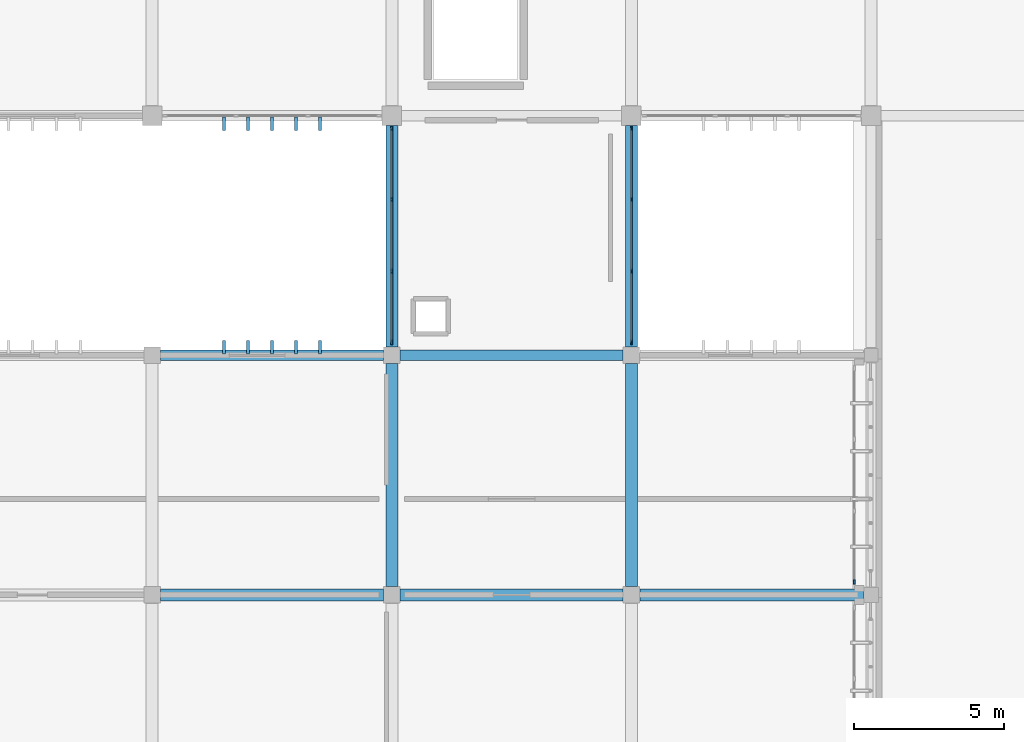
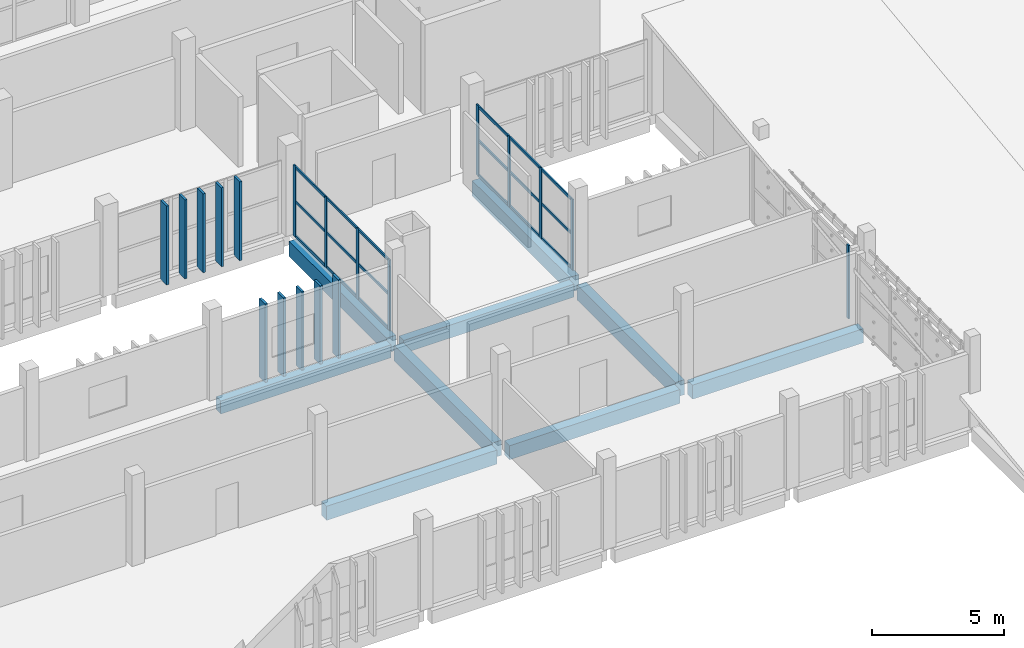
# One storey, part 39 of 83: 37 members, 9 beams, 3 elements without a shape of their own.
"""IFC4 building model written with IfcOpenShell, lengths in metres."""

from ifc_helpers import new_model, si_unit, direction, frame, origin, origin_2d, place, context, subcontext, project, spatial, rectangle, extrude, material, layer, layer_set, material_profile, profile_set, type_object, element, aggregate, save


model = new_model("IFC4")

# Units and contexts
model_context = context("Model", 3, precision=1e-05, world=origin(), true_north=direction((0.0, 1.0)))
body_context = subcontext(model_context, "Body", "Model", "MODEL_VIEW")
ifc_project = project(units=[si_unit("LENGTHUNIT", "METRE"), si_unit("AREAUNIT", "SQUARE_METRE"), si_unit("VOLUMEUNIT", "CUBIC_METRE"), si_unit("PLANEANGLEUNIT", "RADIAN"), si_unit("MASSUNIT", "GRAM", prefix="KILO")], contexts=[model_context])

# Site, building, storey
site_placement = place(None, origin())
site = spatial("IfcSite", under=ifc_project, at=site_placement, CompositionType="ELEMENT")
building_placement = place(site_placement, origin())
building = spatial("IfcBuilding", under=site, at=building_placement, Name="Jelvoka-Kovrelna Polytechnic", CompositionType="ELEMENT")
storey_placement = place(building_placement, frame((0.0, 0.0, 13.800048828125)))
storey = spatial("IfcBuildingStorey", under=building, at=storey_placement, Name="L04", CompositionType="ELEMENT", Elevation=13.800048828125)

# Beams
ifc_material_1 = material(Name="Concrete C40/50", Category="concrete")
ifc_material_profile_1 = material_profile(ifc_material_1, rectangle(XDim=0.39990234375, YDim=0.64990234375, at=origin_2d()), Name="RC 400x650")
ifc_profile_set_1 = profile_set([ifc_material_profile_1], Name="Concrete C40/50")
beam_type_1 = type_object("IfcBeamType", Name="Beam_RC_400x650", PredefinedType="BEAM", material=ifc_profile_set_1)
for number, where, z_axis, x_axis, name in (
    (1, (136.280029296875, 16.0, -0.574951171875), (1.0, 0.0, 0.0), (0.0, 1.0, 0.0), "L04 beam 1157"),
    (2, (144.280029296875, 16.0, -0.574951171875), (1.0, 0.0, 0.0), (0.0, 1.0, 0.0), "L04 beam 1158"),
):
    element("IfcBeam", number, at=place(storey_placement, frame(where, z_axis=z_axis, x_axis=x_axis)), inside=storey, type_object=beam_type_1, Name=name, PredefinedType="BEAM", context=body_context, shape_type="SweptSolid", body=[
        extrude(rectangle(XDim=0.39990234375, YDim=0.64990234375, at=origin_2d()), origin(), (0.0, 0.0, 1.0), 7.43994140625),
    ])
beam_placement = place(storey_placement, frame((152.280029296875, 16.0, -0.574951171875), z_axis=(1.0, 0.0, 0.0), x_axis=(0.0, 1.0, 0.0)))
element("IfcBeam", 3, at=beam_placement, inside=storey, type_object=beam_type_1, Name="L04 beam 1159", PredefinedType="BEAM", context=body_context, shape_type="SweptSolid", body=[
    extrude(rectangle(XDim=0.39990234375, YDim=0.64990234375, at=origin_2d()), origin(), (0.0, 0.0, 1.0), 7.465087890625),
])
ifc_material_2 = material(Name="Concrete C40/50", Category="concrete")
ifc_material_profile_2 = material_profile(ifc_material_2, rectangle(XDim=0.39990234375, YDim=0.699951171875, at=origin_2d()), Name="RC 400x700")
ifc_profile_set_2 = profile_set([ifc_material_profile_2], Name="Concrete C40/50")
beam_type_2 = type_object("IfcBeamType", Name="Beam_RC_400x700", PredefinedType="BEAM", material=ifc_profile_set_2)
for number, where, z_axis, x_axis, name in (
    (4, (144.0, 16.280029296875, -0.60009765625), (0.0, 1.0, 0.0), (-1.0, 0.0, 0.0), "L04 beam 1173"),
    (5, (152.0, 16.280029296875, -0.60009765625), (0.0, 1.0, 0.0), (-1.0, 0.0, 0.0), "L04 beam 1175"),
):
    element("IfcBeam", number, at=place(storey_placement, frame(where, z_axis=z_axis, x_axis=x_axis)), inside=storey, type_object=beam_type_2, Name=name, PredefinedType="BEAM", context=body_context, shape_type="SweptSolid", body=[
        extrude(rectangle(XDim=0.39990234375, YDim=0.699951171875, at=origin_2d()), origin(), (0.0, 0.0, 1.0), 7.43994140625),
    ])
for number, where, z_axis, x_axis, name in (
    (6, (144.0, 24.280029296875, -0.60009765625), (0.0, 1.0, 0.0), (-1.0, 0.0, 0.0), "L04 beam 1361"),
    (7, (152.0, 24.280029296875, -0.60009765625), (0.0, 1.0, 0.0), (-1.0, 0.0, 0.0), "L04 beam 1362"),
):
    element("IfcBeam", number, at=place(storey_placement, frame(where, z_axis=z_axis, x_axis=x_axis)), inside=storey, type_object=beam_type_2, Name=name, PredefinedType="BEAM", context=body_context, shape_type="SweptSolid", body=[
        extrude(rectangle(XDim=0.39990234375, YDim=0.699951171875, at=origin_2d()), origin(), (0.0, 0.0, 1.0), 7.389892578125),
    ])

# Members
ifc_material_3 = material(Name="Precast concrete C40/50", Category="concrete")
ifc_material_profile_3 = material_profile(ifc_material_3, rectangle(XDim=0.10009765625, YDim=0.449951171875, at=origin_2d()), Name="PC 100x450")
ifc_profile_set_3 = profile_set([ifc_material_profile_3], Name="Precast concrete C40/50")
member_type_1 = type_object("IfcMemberType", Name="Louvre_Fin_100x450", PredefinedType="USERDEFINED", material=ifc_profile_set_3)
for number, where, z_axis, x_axis, name in (
    (8, (138.39990234375, 24.264892578125, -0.27001953125), (0.0, 0.0, 1.0), (1.0, 0.0, 0.0), "L04 B1 north vertical solar louvre fin 0436"),
    (9, (139.199951171875, 24.264892578125, -0.27001953125), (0.0, 0.0, 1.0), (1.0, 0.0, 0.0), "L04 B1 north vertical solar louvre fin 0437"),
    (10, (140.0, 24.264892578125, -0.27001953125), (0.0, 0.0, 1.0), (1.0, 0.0, 0.0), "L04 B1 north vertical solar louvre fin 0438"),
    (11, (140.800048828125, 24.264892578125, -0.27001953125), (0.0, 0.0, 1.0), (1.0, 0.0, 0.0), "L04 B1 north vertical solar louvre fin 0439"),
    (12, (141.60009765625, 24.264892578125, -0.27001953125), (0.0, 0.0, 1.0), (1.0, 0.0, 0.0), "L04 B1 north vertical solar louvre fin 0440"),
    (13, (138.39990234375, 31.735107421875, -0.27001953125), (0.0, 0.0, 1.0), (1.0, 0.0, 0.0), "L04 B2E south vertical solar louvre fin 0981"),
    (14, (139.199951171875, 31.735107421875, -0.27001953125), (0.0, 0.0, 1.0), (1.0, 0.0, 0.0), "L04 B2E south vertical solar louvre fin 0982"),
    (15, (140.0, 31.735107421875, -0.27001953125), (0.0, 0.0, 1.0), (1.0, 0.0, 0.0), "L04 B2E south vertical solar louvre fin 0983"),
    (16, (140.800048828125, 31.735107421875, -0.27001953125), (0.0, 0.0, 1.0), (1.0, 0.0, 0.0), "L04 B2E south vertical solar louvre fin 0984"),
    (17, (141.60009765625, 31.735107421875, -0.27001953125), (0.0, 0.0, 1.0), (1.0, 0.0, 0.0), "L04 B2E south vertical solar louvre fin 0985"),
):
    element("IfcMember", number, at=place(storey_placement, frame(where, z_axis=z_axis, x_axis=x_axis)), inside=storey, type_object=member_type_1, Name=name, ObjectType="SUNSHADE", PredefinedType="USERDEFINED", context=body_context, shape_type="SweptSolid", body=[
        extrude(rectangle(XDim=0.10009765625, YDim=0.449951171875, at=origin_2d()), origin(), (0.0, 0.0, 1.0), 3.64501953125),
    ])

# Curtain wall, member
ifc_material_4 = material(Name="Anodised aluminium 6063-T6", Category="aluminium")
ifc_layer_1 = layer(ifc_material_4, 0.159912109375)
ifc_layer_set_1 = layer_set([ifc_layer_1], Name="Anodised aluminium 6063-T6")
curtain_wall_type_1 = type_object("IfcCurtainWallType", Name="CW_Recessed_A", PredefinedType="NOTDEFINED", material=ifc_layer_set_1)
curtain_wall_1_placement = place(storey_placement, origin())
curtain_wall_1 = element("IfcCurtainWall", 18, at=curtain_wall_1_placement, inside=storey, type_object=curtain_wall_type_1, Name="L04 glazed curtain wall 006", PredefinedType="NOTDEFINED")
ifc_material_5 = material(Name="Anodised aluminium 6063-T6", Category="aluminium")
ifc_material_profile_4 = material_profile(ifc_material_5, rectangle(XDim=0.06005859375, YDim=0.159912109375, at=origin_2d()), Name="ALU 60x160")
ifc_profile_set_4 = profile_set([ifc_material_profile_4], Name="Anodised aluminium 6063-T6")
member_type_2 = type_object("IfcMemberType", Name="Mullion_M-01", PredefinedType="MULLION", material=ifc_profile_set_4)
member_1_placement = place(storey_placement, frame((159.43994140625, 16.429931640625, -0.02490234375), z_axis=(0.0, 0.0, 1.0), x_axis=(1.0, 0.0, 0.0)))
member_1 = element("IfcMember", 19, at=member_1_placement, type_object=member_type_2, Name="CW-01 mullion 4", PredefinedType="MULLION", context=body_context, shape_type="SweptSolid", body=[
    extrude(rectangle(XDim=0.06005859375, YDim=0.159912109375, at=origin_2d()), origin(), (0.0, 0.0, 1.0), 3.39990234375),
])
aggregate(curtain_wall_1, [member_1])

# Curtain wall, members
ifc_material_6 = material(Name="Anodised aluminium 6063-T6", Category="aluminium")
ifc_layer_2 = layer(ifc_material_6, 0.159912109375)
ifc_layer_set_2 = layer_set([ifc_layer_2], Name="Anodised aluminium 6063-T6")
curtain_wall_type_2 = type_object("IfcCurtainWallType", Name="CW_LinkBridge", PredefinedType="NOTDEFINED", material=ifc_layer_set_2)
curtain_wall_2_placement = place(storey_placement, origin())
curtain_wall_2 = element("IfcCurtainWall", 20, at=curtain_wall_2_placement, inside=storey, type_object=curtain_wall_type_2, Name="L04 glazed curtain wall 138", PredefinedType="NOTDEFINED")
ifc_material_7 = material(Name="Anodised aluminium 6063-T6", Category="aluminium")
ifc_material_profile_5 = material_profile(ifc_material_7, rectangle(XDim=0.06005859375, YDim=0.159912109375, at=origin_2d()), Name="ALU 60x160")
ifc_profile_set_5 = profile_set([ifc_material_profile_5], Name="Anodised aluminium 6063-T6")
member_type_3 = type_object("IfcMemberType", Name="Mullion_M-04", PredefinedType="MULLION", material=ifc_profile_set_5)
member_2_placement = place(storey_placement, frame((144.0, 24.429931640625, -0.02490234375), z_axis=(0.0, 0.0, 1.0), x_axis=(-1.0, 0.0, 0.0)))
member_2 = element("IfcMember", 21, at=member_2_placement, type_object=member_type_3, Name="CW-04 mullion 1", PredefinedType="MULLION", context=body_context, shape_type="SweptSolid", body=[
    extrude(rectangle(XDim=0.06005859375, YDim=0.159912109375, at=origin_2d()), origin(), (0.0, 0.0, 1.0), 3.27490234375),
])
member_3_placement = place(storey_placement, frame((144.0, 26.800048828125, -0.02490234375), z_axis=(0.0, 0.0, 1.0), x_axis=(-1.0, 0.0, 0.0)))
member_3 = element("IfcMember", 22, at=member_3_placement, type_object=member_type_3, Name="CW-04 mullion 2", PredefinedType="MULLION", context=body_context, shape_type="SweptSolid", body=[
    extrude(rectangle(XDim=0.06005859375, YDim=0.159912109375, at=origin_2d()), origin(), (0.0, 0.0, 1.0), 3.27490234375),
])
member_4_placement = place(storey_placement, frame((144.0, 29.199951171875, -0.02490234375), z_axis=(0.0, 0.0, 1.0), x_axis=(-1.0, 0.0, 0.0)))
member_4 = element("IfcMember", 23, at=member_4_placement, type_object=member_type_3, Name="CW-04 mullion 3", PredefinedType="MULLION", context=body_context, shape_type="SweptSolid", body=[
    extrude(rectangle(XDim=0.06005859375, YDim=0.159912109375, at=origin_2d()), origin(), (0.0, 0.0, 1.0), 3.27490234375),
])
member_5_placement = place(storey_placement, frame((144.0, 31.570068359375, -0.02490234375), z_axis=(0.0, 0.0, 1.0), x_axis=(-1.0, 0.0, 0.0)))
member_5 = element("IfcMember", 24, at=member_5_placement, type_object=member_type_3, Name="CW-04 mullion 4", PredefinedType="MULLION", context=body_context, shape_type="SweptSolid", body=[
    extrude(rectangle(XDim=0.06005859375, YDim=0.159912109375, at=origin_2d()), origin(), (0.0, 0.0, 1.0), 3.27490234375),
])

curtain_wall_3_placement = place(storey_placement, origin())
curtain_wall_3 = element("IfcCurtainWall", 25, at=curtain_wall_3_placement, inside=storey, type_object=curtain_wall_type_2, Name="L04 glazed curtain wall 139", PredefinedType="NOTDEFINED")
member_6_placement = place(storey_placement, frame((152.0, 31.570068359375, -0.02490234375), z_axis=(0.0, 0.0, 1.0), x_axis=(1.0, 0.0, 0.0)))
member_6 = element("IfcMember", 26, at=member_6_placement, type_object=member_type_3, Name="CW-04 mullion 1", PredefinedType="MULLION", context=body_context, shape_type="SweptSolid", body=[
    extrude(rectangle(XDim=0.06005859375, YDim=0.159912109375, at=origin_2d()), origin(), (0.0, 0.0, 1.0), 3.27490234375),
])
member_7_placement = place(storey_placement, frame((152.0, 29.199951171875, -0.02490234375), z_axis=(0.0, 0.0, 1.0), x_axis=(1.0, 0.0, 0.0)))
member_7 = element("IfcMember", 27, at=member_7_placement, type_object=member_type_3, Name="CW-04 mullion 2", PredefinedType="MULLION", context=body_context, shape_type="SweptSolid", body=[
    extrude(rectangle(XDim=0.06005859375, YDim=0.159912109375, at=origin_2d()), origin(), (0.0, 0.0, 1.0), 3.27490234375),
])
member_8_placement = place(storey_placement, frame((152.0, 26.800048828125, -0.02490234375), z_axis=(0.0, 0.0, 1.0), x_axis=(1.0, 0.0, 0.0)))
member_8 = element("IfcMember", 28, at=member_8_placement, type_object=member_type_3, Name="CW-04 mullion 3", PredefinedType="MULLION", context=body_context, shape_type="SweptSolid", body=[
    extrude(rectangle(XDim=0.06005859375, YDim=0.159912109375, at=origin_2d()), origin(), (0.0, 0.0, 1.0), 3.27490234375),
])
member_9_placement = place(storey_placement, frame((152.0, 24.429931640625, -0.02490234375), z_axis=(0.0, 0.0, 1.0), x_axis=(1.0, 0.0, 0.0)))
member_9 = element("IfcMember", 29, at=member_9_placement, type_object=member_type_3, Name="CW-04 mullion 4", PredefinedType="MULLION", context=body_context, shape_type="SweptSolid", body=[
    extrude(rectangle(XDim=0.06005859375, YDim=0.159912109375, at=origin_2d()), origin(), (0.0, 0.0, 1.0), 3.27490234375),
])

# Beams
ifc_material_8 = material(Name="Concrete C40/50", Category="concrete")
ifc_material_profile_6 = material_profile(ifc_material_8, rectangle(XDim=0.35009765625, YDim=0.60009765625, at=origin_2d()), Name="RC 350x600")
ifc_profile_set_6 = profile_set([ifc_material_profile_6], Name="Concrete C40/50")
beam_type_3 = type_object("IfcBeamType", Name="Spandrel_RC_350x600", PredefinedType="SPANDREL", material=ifc_profile_set_6)
for number, where, z_axis, x_axis, name in (
    (30, (136.280029296875, 24.0, -0.550048828125), (1.0, 0.0, 0.0), (0.0, 1.0, 0.0), "L04 beam 1163"),
    (31, (144.280029296875, 24.0, -0.550048828125), (1.0, 0.0, 0.0), (0.0, 1.0, 0.0), "L04 beam 1164"),
):
    element("IfcBeam", number, at=place(storey_placement, frame(where, z_axis=z_axis, x_axis=x_axis)), inside=storey, type_object=beam_type_3, Name=name, PredefinedType="SPANDREL", context=body_context, shape_type="SweptSolid", body=[
        extrude(rectangle(XDim=0.35009765625, YDim=0.60009765625, at=origin_2d()), origin(), (0.0, 0.0, 1.0), 7.43994140625),
    ])

# Member
ifc_material_9 = material(Name="Anodised aluminium 6063-T6", Category="aluminium")
ifc_material_profile_7 = material_profile(ifc_material_9, rectangle(XDim=0.06005859375, YDim=0.1201171875, at=origin_2d()), Name="ALU 60x120")
ifc_profile_set_7 = profile_set([ifc_material_profile_7], Name="Anodised aluminium 6063-T6")
member_type_4 = type_object("IfcMemberType", Name="Transom_T-04", PredefinedType="USERDEFINED", material=ifc_profile_set_7)
member_10_placement = place(storey_placement, frame((144.0, 24.4599609375, 0.030029296875), z_axis=(0.0, 1.0, 0.0), x_axis=(-1.0, 0.0, 0.0)))
member_10 = element("IfcMember", 32, at=member_10_placement, type_object=member_type_4, Name="CW-04 transom 1.1", ObjectType="TRANSOM", PredefinedType="USERDEFINED", context=body_context, shape_type="SweptSolid", body=[
    extrude(rectangle(XDim=0.06005859375, YDim=0.1201171875, at=origin_2d()), origin(), (0.0, 0.0, 1.0), 2.31005859375),
])

member_11_placement = place(storey_placement, frame((144.0, 24.4599609375, 1.612548828125), z_axis=(0.0, 1.0, 0.0), x_axis=(-1.0, 0.0, 0.0)))
member_11 = element("IfcMember", 33, at=member_11_placement, type_object=member_type_4, Name="CW-04 transom 1.2", ObjectType="TRANSOM", PredefinedType="USERDEFINED", context=body_context, shape_type="SweptSolid", body=[
    extrude(rectangle(XDim=0.06005859375, YDim=0.1201171875, at=origin_2d()), origin(), (0.0, 0.0, 1.0), 2.31005859375),
])

member_12_placement = place(storey_placement, frame((144.0, 24.4599609375, 3.195068359375), z_axis=(0.0, 1.0, 0.0), x_axis=(-1.0, 0.0, 0.0)))
member_12 = element("IfcMember", 34, at=member_12_placement, type_object=member_type_4, Name="CW-04 transom 1.3", ObjectType="TRANSOM", PredefinedType="USERDEFINED", context=body_context, shape_type="SweptSolid", body=[
    extrude(rectangle(XDim=0.06005859375, YDim=0.1201171875, at=origin_2d()), origin(), (0.0, 0.0, 1.0), 2.31005859375),
])

member_13_placement = place(storey_placement, frame((144.0, 26.830078125, 0.030029296875), z_axis=(0.0, 1.0, 0.0), x_axis=(-1.0, 0.0, 0.0)))
member_13 = element("IfcMember", 35, at=member_13_placement, type_object=member_type_4, Name="CW-04 transom 2.1", ObjectType="TRANSOM", PredefinedType="USERDEFINED", context=body_context, shape_type="SweptSolid", body=[
    extrude(rectangle(XDim=0.06005859375, YDim=0.1201171875, at=origin_2d()), origin(), (0.0, 0.0, 1.0), 2.33984375),
])

member_14_placement = place(storey_placement, frame((144.0, 26.830078125, 1.612548828125), z_axis=(0.0, 1.0, 0.0), x_axis=(-1.0, 0.0, 0.0)))
member_14 = element("IfcMember", 36, at=member_14_placement, type_object=member_type_4, Name="CW-04 transom 2.2", ObjectType="TRANSOM", PredefinedType="USERDEFINED", context=body_context, shape_type="SweptSolid", body=[
    extrude(rectangle(XDim=0.06005859375, YDim=0.1201171875, at=origin_2d()), origin(), (0.0, 0.0, 1.0), 2.33984375),
])

member_15_placement = place(storey_placement, frame((144.0, 26.830078125, 3.195068359375), z_axis=(0.0, 1.0, 0.0), x_axis=(-1.0, 0.0, 0.0)))
member_15 = element("IfcMember", 37, at=member_15_placement, type_object=member_type_4, Name="CW-04 transom 2.3", ObjectType="TRANSOM", PredefinedType="USERDEFINED", context=body_context, shape_type="SweptSolid", body=[
    extrude(rectangle(XDim=0.06005859375, YDim=0.1201171875, at=origin_2d()), origin(), (0.0, 0.0, 1.0), 2.33984375),
])

member_16_placement = place(storey_placement, frame((144.0, 29.22998046875, 0.030029296875), z_axis=(0.0, 1.0, 0.0), x_axis=(-1.0, 0.0, 0.0)))
member_16 = element("IfcMember", 38, at=member_16_placement, type_object=member_type_4, Name="CW-04 transom 3.1", ObjectType="TRANSOM", PredefinedType="USERDEFINED", context=body_context, shape_type="SweptSolid", body=[
    extrude(rectangle(XDim=0.06005859375, YDim=0.1201171875, at=origin_2d()), origin(), (0.0, 0.0, 1.0), 2.31005859375),
])

member_17_placement = place(storey_placement, frame((144.0, 29.22998046875, 1.612548828125), z_axis=(0.0, 1.0, 0.0), x_axis=(-1.0, 0.0, 0.0)))
member_17 = element("IfcMember", 39, at=member_17_placement, type_object=member_type_4, Name="CW-04 transom 3.2", ObjectType="TRANSOM", PredefinedType="USERDEFINED", context=body_context, shape_type="SweptSolid", body=[
    extrude(rectangle(XDim=0.06005859375, YDim=0.1201171875, at=origin_2d()), origin(), (0.0, 0.0, 1.0), 2.31005859375),
])

member_18_placement = place(storey_placement, frame((144.0, 29.22998046875, 3.195068359375), z_axis=(0.0, 1.0, 0.0), x_axis=(-1.0, 0.0, 0.0)))
member_18 = element("IfcMember", 40, at=member_18_placement, type_object=member_type_4, Name="CW-04 transom 3.3", ObjectType="TRANSOM", PredefinedType="USERDEFINED", context=body_context, shape_type="SweptSolid", body=[
    extrude(rectangle(XDim=0.06005859375, YDim=0.1201171875, at=origin_2d()), origin(), (0.0, 0.0, 1.0), 2.31005859375),
])

aggregate(curtain_wall_2, [member_2, member_3, member_4, member_5, member_10, member_11, member_12, member_13, member_14, member_15, member_16, member_17, member_18])

member_19_placement = place(storey_placement, frame((152.0, 31.5400390625, 0.030029296875), z_axis=(0.0, -1.0, 0.0), x_axis=(1.0, 0.0, 0.0)))
member_19 = element("IfcMember", 41, at=member_19_placement, type_object=member_type_4, Name="CW-04 transom 1.1", ObjectType="TRANSOM", PredefinedType="USERDEFINED", context=body_context, shape_type="SweptSolid", body=[
    extrude(rectangle(XDim=0.06005859375, YDim=0.1201171875, at=origin_2d()), origin(), (0.0, 0.0, 1.0), 2.31005859375),
])

member_20_placement = place(storey_placement, frame((152.0, 31.5400390625, 1.612548828125), z_axis=(0.0, -1.0, 0.0), x_axis=(1.0, 0.0, 0.0)))
member_20 = element("IfcMember", 42, at=member_20_placement, type_object=member_type_4, Name="CW-04 transom 1.2", ObjectType="TRANSOM", PredefinedType="USERDEFINED", context=body_context, shape_type="SweptSolid", body=[
    extrude(rectangle(XDim=0.06005859375, YDim=0.1201171875, at=origin_2d()), origin(), (0.0, 0.0, 1.0), 2.31005859375),
])

member_21_placement = place(storey_placement, frame((152.0, 31.5400390625, 3.195068359375), z_axis=(0.0, -1.0, 0.0), x_axis=(1.0, 0.0, 0.0)))
member_21 = element("IfcMember", 43, at=member_21_placement, type_object=member_type_4, Name="CW-04 transom 1.3", ObjectType="TRANSOM", PredefinedType="USERDEFINED", context=body_context, shape_type="SweptSolid", body=[
    extrude(rectangle(XDim=0.06005859375, YDim=0.1201171875, at=origin_2d()), origin(), (0.0, 0.0, 1.0), 2.31005859375),
])

member_22_placement = place(storey_placement, frame((152.0, 29.169921875, 0.030029296875), z_axis=(0.0, -1.0, 0.0), x_axis=(1.0, 0.0, 0.0)))
member_22 = element("IfcMember", 44, at=member_22_placement, type_object=member_type_4, Name="CW-04 transom 2.1", ObjectType="TRANSOM", PredefinedType="USERDEFINED", context=body_context, shape_type="SweptSolid", body=[
    extrude(rectangle(XDim=0.06005859375, YDim=0.1201171875, at=origin_2d()), origin(), (0.0, 0.0, 1.0), 2.33984375),
])

member_23_placement = place(storey_placement, frame((152.0, 29.169921875, 1.612548828125), z_axis=(0.0, -1.0, 0.0), x_axis=(1.0, 0.0, 0.0)))
member_23 = element("IfcMember", 45, at=member_23_placement, type_object=member_type_4, Name="CW-04 transom 2.2", ObjectType="TRANSOM", PredefinedType="USERDEFINED", context=body_context, shape_type="SweptSolid", body=[
    extrude(rectangle(XDim=0.06005859375, YDim=0.1201171875, at=origin_2d()), origin(), (0.0, 0.0, 1.0), 2.33984375),
])

member_24_placement = place(storey_placement, frame((152.0, 29.169921875, 3.195068359375), z_axis=(0.0, -1.0, 0.0), x_axis=(1.0, 0.0, 0.0)))
member_24 = element("IfcMember", 46, at=member_24_placement, type_object=member_type_4, Name="CW-04 transom 2.3", ObjectType="TRANSOM", PredefinedType="USERDEFINED", context=body_context, shape_type="SweptSolid", body=[
    extrude(rectangle(XDim=0.06005859375, YDim=0.1201171875, at=origin_2d()), origin(), (0.0, 0.0, 1.0), 2.33984375),
])

member_25_placement = place(storey_placement, frame((152.0, 26.77001953125, 0.030029296875), z_axis=(0.0, -1.0, 0.0), x_axis=(1.0, 0.0, 0.0)))
member_25 = element("IfcMember", 47, at=member_25_placement, type_object=member_type_4, Name="CW-04 transom 3.1", ObjectType="TRANSOM", PredefinedType="USERDEFINED", context=body_context, shape_type="SweptSolid", body=[
    extrude(rectangle(XDim=0.06005859375, YDim=0.1201171875, at=origin_2d()), origin(), (0.0, 0.0, 1.0), 2.31005859375),
])

member_26_placement = place(storey_placement, frame((152.0, 26.77001953125, 1.612548828125), z_axis=(0.0, -1.0, 0.0), x_axis=(1.0, 0.0, 0.0)))
member_26 = element("IfcMember", 48, at=member_26_placement, type_object=member_type_4, Name="CW-04 transom 3.2", ObjectType="TRANSOM", PredefinedType="USERDEFINED", context=body_context, shape_type="SweptSolid", body=[
    extrude(rectangle(XDim=0.06005859375, YDim=0.1201171875, at=origin_2d()), origin(), (0.0, 0.0, 1.0), 2.31005859375),
])

member_27_placement = place(storey_placement, frame((152.0, 26.77001953125, 3.195068359375), z_axis=(0.0, -1.0, 0.0), x_axis=(1.0, 0.0, 0.0)))
member_27 = element("IfcMember", 49, at=member_27_placement, type_object=member_type_4, Name="CW-04 transom 3.3", ObjectType="TRANSOM", PredefinedType="USERDEFINED", context=body_context, shape_type="SweptSolid", body=[
    extrude(rectangle(XDim=0.06005859375, YDim=0.1201171875, at=origin_2d()), origin(), (0.0, 0.0, 1.0), 2.31005859375),
])

aggregate(curtain_wall_3, [member_6, member_7, member_8, member_9, member_19, member_20, member_21, member_22, member_23, member_24, member_25, member_26, member_27])

save(model, "model.ifc")
